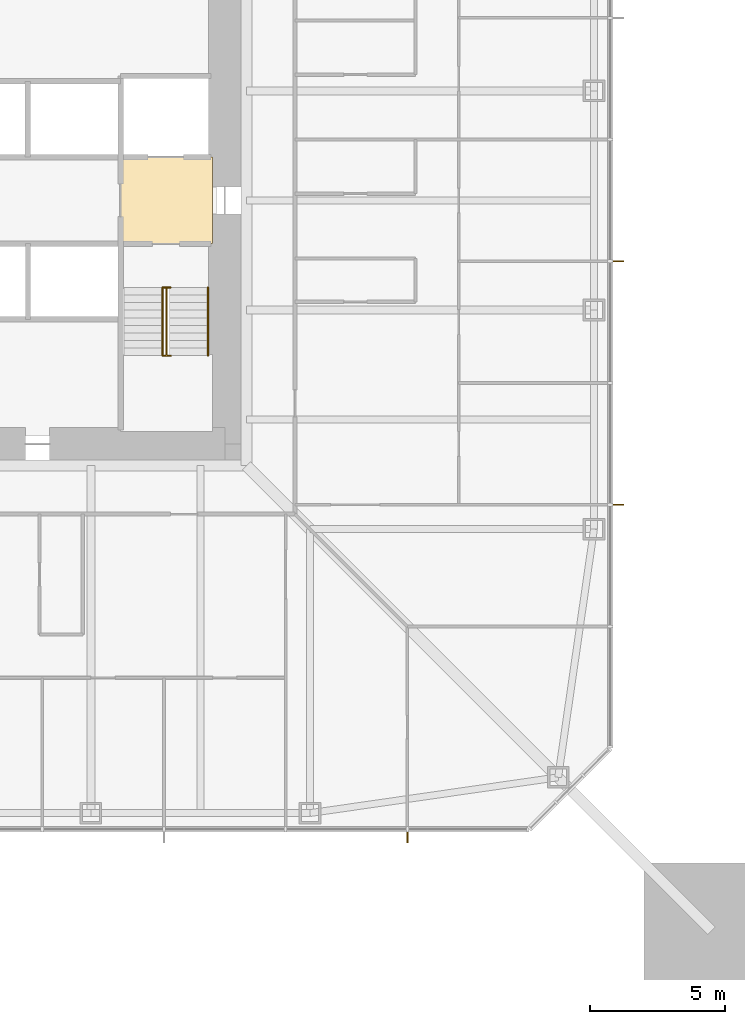
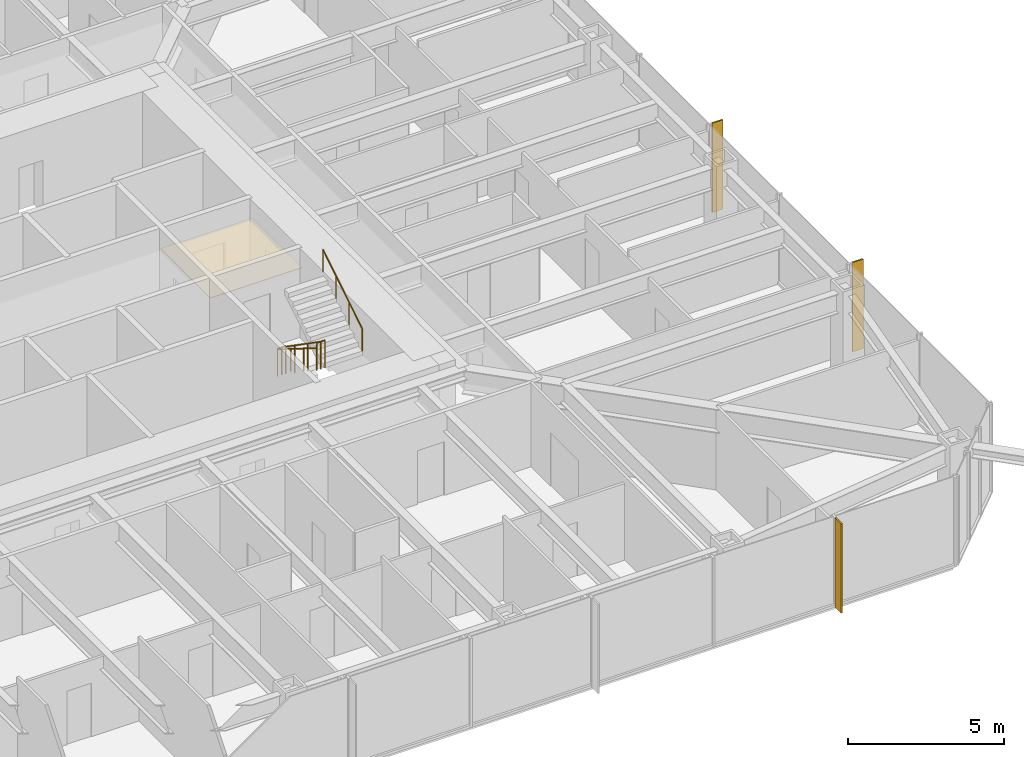
# One storey, part 24 of 26: 3 railings, 3 shading devices, 1 covering.
"""IFC4 building model written with IfcOpenShell, lengths in metres."""

import ifcopenshell
import ifcopenshell.guid

model = None  # the IFC model being written
_history = None  # IfcOwnerHistory: only IFC2X3 demands one
_inside = {}  # id of a spatial element -> (the spatial element, [elements in it])
_under = {}  # id of a project, library or spatial element -> (it, [spatial elements below it])
_declared = {}  # id of a project -> (the project, [libraries it declares])
_typed = {}  # id of a type object -> (the type object, [elements of that type])
_made_of = {}  # id of a material, layer set ... -> (it, [elements and type objects made of it])


def new_model(schema):
    """Start an empty IFC model of exactly this schema.

    Asked for "IFC4X3", IfcOpenShell would pick the latest addendum, in which some entities
    have other attributes; the version numbers below select the first issue.
    IFC2X3 requires an IfcOwnerHistory on every rooted entity: one is made here for all.
    """
    global model, _history
    if schema == "IFC4X3":
        model = ifcopenshell.file(schema_version=(4, 3, 0, 0))
    else:
        model = ifcopenshell.file(schema=schema)
    _inside.clear()
    _under.clear()
    _declared.clear()
    _typed.clear()
    _made_of.clear()
    _history = None
    if model.schema == "IFC2X3":
        org = make("IfcOrganization", Name="unknown")
        user = make(
            "IfcPersonAndOrganization",
            ThePerson=make("IfcPerson", FamilyName="unknown"),
            TheOrganization=org,
        )
        app = make(
            "IfcApplication",
            ApplicationDeveloper=org,
            Version="unknown",
            ApplicationFullName="unknown",
            ApplicationIdentifier="unknown",
        )
        _history = make(
            "IfcOwnerHistory",
            OwningUser=user,
            OwningApplication=app,
            ChangeAction="ADDED",
            CreationDate=0,
        )
    return model


def make(cls, **values):
    """One entity of the class cls with the attributes given. An attribute that is None is left unset."""
    return model.create_entity(
        cls, **{name: value for name, value in values.items() if value is not None}
    )


def rooted(cls, **values):
    """An entity with a GlobalId (a new one), such as an element, a storey or a relation."""
    return make(cls, GlobalId=ifcopenshell.guid.new(), OwnerHistory=_history, **values)


def si_unit(unit_type, name, prefix=None):
    """IfcSIUnit, for example si_unit("LENGTHUNIT", "METRE", prefix="MILLI")."""
    return make("IfcSIUnit", UnitType=unit_type, Prefix=prefix, Name=name)


def assignment(units):
    """IfcUnitAssignment: the units of a project."""
    return None if units is None else make("IfcUnitAssignment", Units=units)


def point(xyz):
    """IfcCartesianPoint."""
    return None if xyz is None else make("IfcCartesianPoint", Coordinates=xyz)


def direction(xyz):
    """IfcDirection."""
    return None if xyz is None else make("IfcDirection", DirectionRatios=xyz)


def frame(location, z_axis=None, x_axis=None):
    """IfcAxis2Placement3D, a coordinate frame: its origin and axes. An axis left out is left unset."""
    return make(
        "IfcAxis2Placement3D",
        Location=point(location),
        Axis=direction(z_axis),
        RefDirection=direction(x_axis),
    )


def frame_2d(location, x_axis=None):
    """IfcAxis2Placement2D, a coordinate frame in the plane: its origin and x axis."""
    return make(
        "IfcAxis2Placement2D", Location=point(location), RefDirection=direction(x_axis)
    )


def origin():
    """The frame at (0, 0, 0) with its axes left unset."""
    return frame((0.0, 0.0, 0.0))


def origin_2d():
    """The frame at (0, 0) in the plane with its x axis left unset."""
    return frame_2d((0.0, 0.0))


def place(relative_to, where):
    """IfcLocalPlacement: puts the frame where relative to a parent placement (None: the world)."""
    return make(
        "IfcLocalPlacement", PlacementRelTo=relative_to, RelativePlacement=where
    )


def context(
    kind, dimensions, precision=None, world=None, true_north=None, identifier=None
):
    """IfcGeometricRepresentationContext, for example the 3D "Model" context."""
    return make(
        "IfcGeometricRepresentationContext",
        ContextIdentifier=identifier,
        ContextType=kind,
        CoordinateSpaceDimension=dimensions,
        Precision=precision,
        WorldCoordinateSystem=world,
        TrueNorth=true_north,
    )


def subcontext(parent, identifier, kind, view, scale=None):
    """IfcGeometricRepresentationSubContext, for example "Body" below "Model"."""
    return make(
        "IfcGeometricRepresentationSubContext",
        ContextIdentifier=identifier,
        ContextType=kind,
        ParentContext=parent,
        TargetScale=scale,
        TargetView=view,
    )


def project(units=None, contexts=None):
    """IfcProject with its units and contexts."""
    return rooted(
        "IfcProject",
        Name="project",
        RepresentationContexts=contexts,
        UnitsInContext=assignment(units),
    )


def spatial(cls, under=None, at=None, **own):
    """A site, building, storey or space (cls), placed at a placement, below another one or the project."""
    s = rooted(cls, ObjectPlacement=at, **own)
    if under is not None:
        _under.setdefault(under.id(), (under, []))[1].append(s)
    return s


def polyline(points):
    """IfcPolyline through the points."""
    return make("IfcPolyline", Points=[point(p) for p in points])


def profile(cls, at=None, kind="AREA", **sizes):
    """A parametric profile (cls). Its sizes go by their IFC names, for example OverallWidth=200.0."""
    return make(cls, ProfileType=kind, Position=at, **sizes)


def rectangle(**sizes):
    """IfcRectangleProfileDef."""
    return profile("IfcRectangleProfileDef", **sizes)


def circle(**sizes):
    """IfcCircleProfileDef."""
    return profile("IfcCircleProfileDef", **sizes)


def outline(outer, holes=None, kind="AREA"):
    """IfcArbitraryClosedProfileDef: a profile drawn as a closed curve; with holes, ...WithVoids."""
    if holes is None:
        return make("IfcArbitraryClosedProfileDef", ProfileType=kind, OuterCurve=outer)
    return make(
        "IfcArbitraryProfileDefWithVoids",
        ProfileType=kind,
        OuterCurve=outer,
        InnerCurves=holes,
    )


def extrude(swept, where, along, depth):
    """IfcExtrudedAreaSolid: the profile swept, set in the frame where, extruded along a direction by depth."""
    return make(
        "IfcExtrudedAreaSolid",
        SweptArea=swept,
        Position=where,
        ExtrudedDirection=direction(along),
        Depth=depth,
    )


def shape(context_of_items, identifier, shape_type, items):
    """IfcShapeRepresentation: the items that make up one representation, for example the "Body"."""
    return make(
        "IfcShapeRepresentation",
        ContextOfItems=context_of_items,
        RepresentationIdentifier=identifier,
        RepresentationType=shape_type,
        Items=items,
    )


def material(Name=None, Category=None):
    """IfcMaterial."""
    return make("IfcMaterial", Name=Name, Category=Category)


def layer(
    of_material, thickness, ventilated=None, Name=None, Category=None, Priority=None
):
    """IfcMaterialLayer: one layer of a wall or slab, of a material (None: an air gap)."""
    return make(
        "IfcMaterialLayer",
        Material=of_material,
        LayerThickness=thickness,
        IsVentilated=ventilated,
        Name=Name,
        Category=Category,
        Priority=Priority,
    )


def layer_set(layers, Name=None):
    """IfcMaterialLayerSet."""
    return make("IfcMaterialLayerSet", MaterialLayers=layers, LayerSetName=Name)


def constituent(of_material, Name=None, Category=None, fraction=None):
    """IfcMaterialConstituent: one of the materials an element consists of."""
    return make(
        "IfcMaterialConstituent",
        Name=Name,
        Material=of_material,
        Fraction=fraction,
        Category=Category,
    )


def constituent_set(constituents=None, Name=None):
    """IfcMaterialConstituentSet."""
    return make(
        "IfcMaterialConstituentSet", Name=Name, MaterialConstituents=constituents
    )


def made_of(thing, what):
    """Note that an element or type object is made of a material, layer set ...; save() writes the relation."""
    if what is not None:
        _made_of.setdefault(what.id(), (what, []))[1].append(thing)
    return thing


def type_object(cls, material=None, **own):
    """A type object (cls), such as IfcWallType, which elements share."""
    return made_of(rooted(cls, **own), material)


def element(
    cls,
    number,
    at=None,
    inside=None,
    cuts=None,
    type_object=None,
    material=None,
    context=None,
    identifier="Body",
    shape_type=None,
    held_by="IfcProductDefinitionShape",
    body=None,
    shapes=None,
    **own,
):
    """One element of the class cls, such as IfcWall. Its Tag is "e" and its number.

    at: its placement. inside: the storey or other place that contains it. cuts: it is an
    opening in that element (IfcRelVoidsElement). A single representation is given by context,
    identifier, shape_type and body (its items); several are given by shapes. held_by: the class
    of the entity that holds the representations. save() writes the other relations.
    """
    e = rooted(cls, Tag="e%d" % number, ObjectPlacement=at, **own)
    if body is not None:
        shapes = [shape(context, identifier, shape_type, body)]
    if shapes is not None:
        e.Representation = make(held_by, Representations=shapes)
    if inside is not None:
        _inside.setdefault(inside.id(), (inside, []))[1].append(e)
    if cuts is not None:
        rooted(
            "IfcRelVoidsElement", RelatingBuildingElement=cuts, RelatedOpeningElement=e
        )
    if type_object is not None:
        _typed.setdefault(type_object.id(), (type_object, []))[1].append(e)
    return made_of(e, material)


def aggregate(whole, parts):
    """IfcRelAggregates: a whole, such as a stair, and the parts it consists of."""
    return rooted("IfcRelAggregates", RelatingObject=whole, RelatedObjects=parts)


def save(model, path):
    """Write the relations noted so far, then the file.

    IfcRelAggregates (storeys below a building ...), IfcRelContainedInSpatialStructure (elements
    in a storey), IfcRelDefinesByType, IfcRelAssociatesMaterial and IfcRelDeclares: one each for
    every whole, place, type object, material and project.
    """
    for whole, parts in _under.values():
        aggregate(whole, parts)
    for where, things in _inside.values():
        rooted(
            "IfcRelContainedInSpatialStructure",
            RelatedElements=things,
            RelatingStructure=where,
        )
    for kind, things in _typed.values():
        rooted("IfcRelDefinesByType", RelatedObjects=things, RelatingType=kind)
    for what, things in _made_of.values():
        rooted("IfcRelAssociatesMaterial", RelatedObjects=things, RelatingMaterial=what)
    for by, libraries in _declared.values():
        rooted("IfcRelDeclares", RelatingContext=by, RelatedDefinitions=libraries)
    model.write(path)


model = new_model("IFC4")

# Units and contexts
model_context = context("Model", 3, precision=1e-05, world=origin(), true_north=direction((0.0, 1.0)))
body_context = subcontext(model_context, "Body", "Model", "MODEL_VIEW")
ifc_project = project(units=[si_unit("LENGTHUNIT", "METRE"), si_unit("AREAUNIT", "SQUARE_METRE"), si_unit("VOLUMEUNIT", "CUBIC_METRE"), si_unit("PLANEANGLEUNIT", "RADIAN"), si_unit("MASSUNIT", "GRAM", prefix="KILO")], contexts=[model_context])

# Site, building, storey
site_placement = place(None, origin())
site = spatial("IfcSite", under=ifc_project, at=site_placement, CompositionType="ELEMENT")
building_placement = place(site_placement, origin())
building = spatial("IfcBuilding", under=site, at=building_placement, Name="Iwan Alto Co-Living Towers", CompositionType="ELEMENT")
storey_placement = place(building_placement, frame((0.0, 0.0, 39.5)))
storey = spatial("IfcBuildingStorey", under=building, at=storey_placement, Name="L10", CompositionType="ELEMENT", Elevation=39.5)

# Covering
ifc_material_1 = material(Name="Mineral fibre acoustic tiles on steel grid", Category="steel")
ifc_layer_1 = layer(ifc_material_1, 0.02001953125)
ifc_layer_set_1 = layer_set([ifc_layer_1], Name="ACOUSTIC TILE CEILING 20")
covering_type = type_object("IfcCoveringType", Name="ACOUSTIC TILE CEILING 20", PredefinedType="CEILING", material=ifc_layer_set_1)
covering_placement = place(storey_placement, frame((0.0, 0.0, 2.60009765625)))
element("IfcCovering", 1, at=covering_placement, inside=storey, type_object=covering_type, Name="Ceiling Firefighting lobby L10", PredefinedType="CEILING", context=body_context, shape_type="SweptSolid", body=[
    extrude(outline(polyline([(5.14990234375, -1.60009765625), (5.14990234375, 1.60009765625), (8.550048828125, 1.60009765625), (8.550048828125, -1.60009765625), (5.14990234375, -1.60009765625)])), origin(), (0.0, 0.0, 1.0), 0.02001953125),
])

# Shading devices
ifc_material_2 = material(Name="Aluminium 6063-T6 bronze anodised", Category="aluminium")
ifc_layer_2 = layer(ifc_material_2, 0.050048828125)
ifc_layer_set_2 = layer_set([ifc_layer_2], Name="BRONZE FIN 50X400")
shading_device_type = type_object("IfcShadingDeviceType", Name="BRONZE FIN 50X400", PredefinedType="USERDEFINED", material=ifc_layer_set_2)
for number, where, z_axis, x_axis, name in (
    (2, (15.75, -23.550048828125, 0.0), (0.0, 0.0, 1.0), (1.0, 0.0, 0.0), "Bronze fin L10"),
    (3, (23.550048828125, -11.25, 0.0), (0.0, 0.0, 1.0), (0.0, 1.0, 0.0), "Bronze fin L10"),
    (4, (23.550048828125, -2.25, 0.0), (0.0, 0.0, 1.0), (0.0, 1.0, 0.0), "Bronze fin L10"),
):
    element("IfcShadingDevice", number, at=place(storey_placement, frame(where, z_axis=z_axis, x_axis=x_axis)), inside=storey, type_object=shading_device_type, Name=name, ObjectType="LOUVER", PredefinedType="USERDEFINED", context=body_context, shape_type="SweptSolid", body=[
        extrude(rectangle(XDim=0.050048828125, YDim=0.39990234375, at=origin_2d()), origin(), (0.0, 0.0, 1.0), 3.5),
    ])

# Railings
ifc_material_3 = material(Name="Steel ASTM A500 Gr C", Category="steel")
ifc_constituent_1 = constituent(ifc_material_3, Name="Rails and posts", Category="Framing")
ifc_material_4 = material(Name="Steel ASTM A36", Category="steel")
ifc_constituent_2 = constituent(ifc_material_4, Name="Bar infill", Category="Infill")
ifc_constituent_set = constituent_set(constituents=[ifc_constituent_1, ifc_constituent_2], Name="STAIR GUARD 1100")
railing_type_1 = type_object("IfcRailingType", Name="STAIR GUARD 1100", PredefinedType="GUARDRAIL", material=ifc_constituent_set)
railing_1_placement = place(storey_placement, frame((6.85009765625, -3.219970703125, 0.0)))
element("IfcRailing", 5, at=railing_1_placement, inside=storey, type_object=railing_type_1, Name="Stair T1-S2 well guard L10", PredefinedType="GUARDRAIL", context=body_context, shape_type="SweptSolid", body=[
    extrude(circle(Radius=0.02392578125, at=origin_2d()), frame((0.0, 0.0, 1.076171875), z_axis=(0.0, -0.821372036852, 0.570392826987), x_axis=(1.0, 0.0, 0.0)), (0.0, 0.0, 1.0), 3.068115234375),
    extrude(circle(Radius=0.02392578125, at=origin_2d()), frame((-0.150146484375, 0.0, 1.076171875), z_axis=(1.0, 0.0, 0.0), x_axis=(0.0, 1.0, 0.0)), (0.0, 0.0, 1.0), 0.300048828125),
    extrude(circle(Radius=0.02392578125, at=origin_2d()), frame((-0.150146484375, -2.52001953125, 2.826171875), z_axis=(1.0, 0.0, 0.0), x_axis=(0.0, 1.0, 0.0)), (0.0, 0.0, 1.0), 0.300048828125),
    extrude(circle(Radius=0.02099609375, at=origin_2d()), origin(), (0.0, 0.0, 1.0), 1.052001953125),
    extrude(circle(Radius=0.02099609375, at=origin_2d()), frame((0.0, -0.840087890625, 0.583251953125)), (0.0, 0.0, 1.0), 1.052001953125),
    extrude(circle(Radius=0.02099609375, at=origin_2d()), frame((0.0, -1.679931640625, 1.166748046875)), (0.0, 0.0, 1.0), 1.052001953125),
    extrude(circle(Radius=0.02099609375, at=origin_2d()), frame((0.0, -2.52001953125, 1.75)), (0.0, 0.0, 1.0), 1.052001953125),
    extrude(circle(Radius=0.02099609375, at=origin_2d()), frame((-0.150146484375, 0.0, 0.0)), (0.0, 0.0, 1.0), 1.052001953125),
    extrude(circle(Radius=0.02099609375, at=origin_2d()), frame((0.14990234375, 0.0, 0.0)), (0.0, 0.0, 1.0), 1.052001953125),
    extrude(circle(Radius=0.02099609375, at=origin_2d()), frame((-0.150146484375, -2.52001953125, 1.75)), (0.0, 0.0, 1.0), 1.052001953125),
    extrude(circle(Radius=0.02099609375, at=origin_2d()), frame((0.14990234375, -2.52001953125, 1.75)), (0.0, 0.0, 1.0), 1.052001953125),
])
ifc_material_5 = material(Name="Steel ASTM A500 Gr C", Category="steel")
railing_type_2 = type_object("IfcRailingType", Name="STAIR HANDRAIL 900", PredefinedType="HANDRAIL", material=ifc_material_5)
railing_2_placement = place(storey_placement, frame((6.699951171875, -3.219970703125, 0.175048828125)))
element("IfcRailing", 6, at=railing_2_placement, inside=storey, type_object=railing_type_2, Name="Stair T1-S2 handrail 1 L10", PredefinedType="HANDRAIL", context=body_context, shape_type="SweptSolid", body=[
    extrude(circle(Radius=0.02392578125, at=origin_2d()), frame((0.0, 0.0, 0.8759765625), z_axis=(0.0, -0.848007534815, 0.529984170421), x_axis=(1.0, 0.0, 0.0)), (0.0, 0.0, 1.0), 2.9716796875),
    extrude(circle(Radius=0.02099609375, at=origin_2d()), origin(), (0.0, 0.0, 1.0), 0.851806640625),
    extrude(circle(Radius=0.02099609375, at=origin_2d()), frame((0.0, -0.840087890625, 0.52490234375)), (0.0, 0.0, 1.0), 0.851806640625),
    extrude(circle(Radius=0.02099609375, at=origin_2d()), frame((0.0, -1.679931640625, 1.050048828125)), (0.0, 0.0, 1.0), 0.851806640625),
    extrude(circle(Radius=0.02099609375, at=origin_2d()), frame((0.0, -2.52001953125, 1.574951171875)), (0.0, 0.0, 1.0), 0.851806640625),
])
railing_3_placement = place(storey_placement, frame((8.3798828125, -5.739990234375, 1.925048828125)))
element("IfcRailing", 7, at=railing_3_placement, inside=storey, type_object=railing_type_2, Name="Stair T1-S2 handrail 2 L10", PredefinedType="HANDRAIL", context=body_context, shape_type="SweptSolid", body=[
    extrude(circle(Radius=0.02392578125, at=origin_2d()), frame((0.0, 0.0, 0.8759765625), z_axis=(0.0, 0.848007534815, 0.529984170421), x_axis=(-1.0, 0.0, 0.0)), (0.0, 0.0, 1.0), 2.9716796875),
    extrude(circle(Radius=0.02099609375, at=origin_2d()), origin(), (0.0, 0.0, 1.0), 0.851806640625),
    extrude(circle(Radius=0.02099609375, at=origin_2d()), frame((0.0, 0.840087890625, 0.52490234375)), (0.0, 0.0, 1.0), 0.851806640625),
    extrude(circle(Radius=0.02099609375, at=origin_2d()), frame((0.0, 1.679931640625, 1.050048828125)), (0.0, 0.0, 1.0), 0.851806640625),
    extrude(circle(Radius=0.02099609375, at=origin_2d()), frame((0.0, 2.52001953125, 1.574951171875)), (0.0, 0.0, 1.0), 0.851806640625),
])

save(model, "model.ifc")
